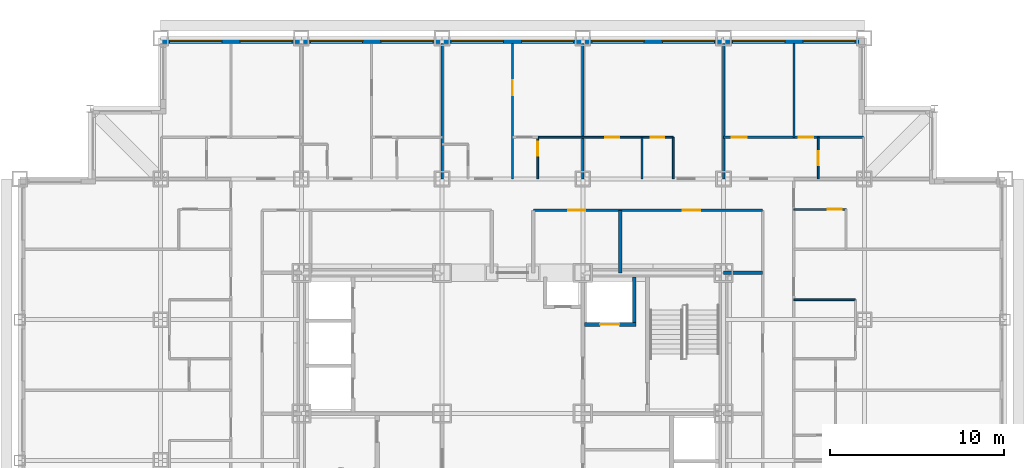
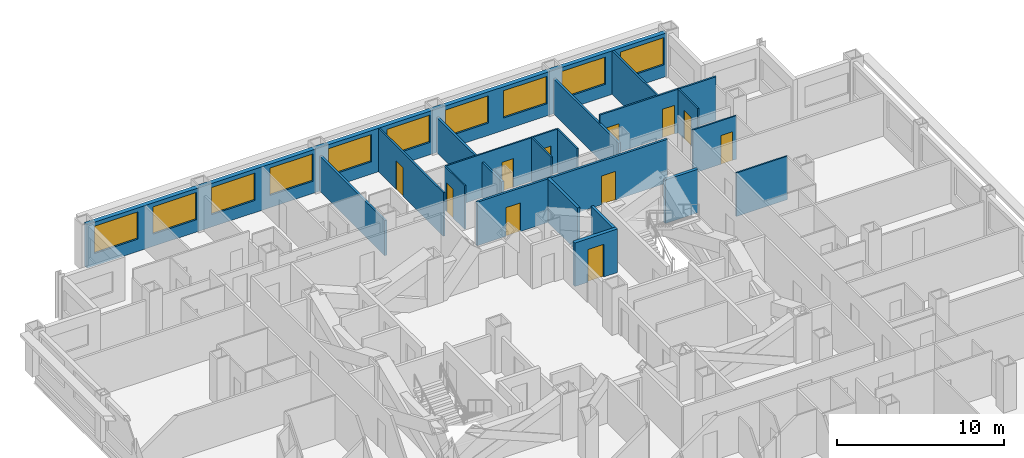
# One storey, part 10 of 12: 19 walls, 11 doors, 10 windows, 21 openings.
"""IFC4 building model written with IfcOpenShell, lengths in metres."""

import ifcopenshell
import ifcopenshell.guid

model = None  # the IFC model being written
_history = None  # IfcOwnerHistory: only IFC2X3 demands one
_inside = {}  # id of a spatial element -> (the spatial element, [elements in it])
_under = {}  # id of a project, library or spatial element -> (it, [spatial elements below it])
_declared = {}  # id of a project -> (the project, [libraries it declares])
_typed = {}  # id of a type object -> (the type object, [elements of that type])
_made_of = {}  # id of a material, layer set ... -> (it, [elements and type objects made of it])


def new_model(schema):
    """Start an empty IFC model of exactly this schema.

    Asked for "IFC4X3", IfcOpenShell would pick the latest addendum, in which some entities
    have other attributes; the version numbers below select the first issue.
    IFC2X3 requires an IfcOwnerHistory on every rooted entity: one is made here for all.
    """
    global model, _history
    if schema == "IFC4X3":
        model = ifcopenshell.file(schema_version=(4, 3, 0, 0))
    else:
        model = ifcopenshell.file(schema=schema)
    _inside.clear()
    _under.clear()
    _declared.clear()
    _typed.clear()
    _made_of.clear()
    _history = None
    if model.schema == "IFC2X3":
        org = make("IfcOrganization", Name="unknown")
        user = make(
            "IfcPersonAndOrganization",
            ThePerson=make("IfcPerson", FamilyName="unknown"),
            TheOrganization=org,
        )
        app = make(
            "IfcApplication",
            ApplicationDeveloper=org,
            Version="unknown",
            ApplicationFullName="unknown",
            ApplicationIdentifier="unknown",
        )
        _history = make(
            "IfcOwnerHistory",
            OwningUser=user,
            OwningApplication=app,
            ChangeAction="ADDED",
            CreationDate=0,
        )
    return model


def make(cls, **values):
    """One entity of the class cls with the attributes given. An attribute that is None is left unset."""
    return model.create_entity(
        cls, **{name: value for name, value in values.items() if value is not None}
    )


def rooted(cls, **values):
    """An entity with a GlobalId (a new one), such as an element, a storey or a relation."""
    return make(cls, GlobalId=ifcopenshell.guid.new(), OwnerHistory=_history, **values)


def si_unit(unit_type, name, prefix=None):
    """IfcSIUnit, for example si_unit("LENGTHUNIT", "METRE", prefix="MILLI")."""
    return make("IfcSIUnit", UnitType=unit_type, Prefix=prefix, Name=name)


def assignment(units):
    """IfcUnitAssignment: the units of a project."""
    return None if units is None else make("IfcUnitAssignment", Units=units)


def point(xyz):
    """IfcCartesianPoint."""
    return None if xyz is None else make("IfcCartesianPoint", Coordinates=xyz)


def direction(xyz):
    """IfcDirection."""
    return None if xyz is None else make("IfcDirection", DirectionRatios=xyz)


def frame(location, z_axis=None, x_axis=None):
    """IfcAxis2Placement3D, a coordinate frame: its origin and axes. An axis left out is left unset."""
    return make(
        "IfcAxis2Placement3D",
        Location=point(location),
        Axis=direction(z_axis),
        RefDirection=direction(x_axis),
    )


def frame_2d(location, x_axis=None):
    """IfcAxis2Placement2D, a coordinate frame in the plane: its origin and x axis."""
    return make(
        "IfcAxis2Placement2D", Location=point(location), RefDirection=direction(x_axis)
    )


def origin():
    """The frame at (0, 0, 0) with its axes left unset."""
    return frame((0.0, 0.0, 0.0))


def place(relative_to, where):
    """IfcLocalPlacement: puts the frame where relative to a parent placement (None: the world)."""
    return make(
        "IfcLocalPlacement", PlacementRelTo=relative_to, RelativePlacement=where
    )


def context(
    kind, dimensions, precision=None, world=None, true_north=None, identifier=None
):
    """IfcGeometricRepresentationContext, for example the 3D "Model" context."""
    return make(
        "IfcGeometricRepresentationContext",
        ContextIdentifier=identifier,
        ContextType=kind,
        CoordinateSpaceDimension=dimensions,
        Precision=precision,
        WorldCoordinateSystem=world,
        TrueNorth=true_north,
    )


def subcontext(parent, identifier, kind, view, scale=None):
    """IfcGeometricRepresentationSubContext, for example "Body" below "Model"."""
    return make(
        "IfcGeometricRepresentationSubContext",
        ContextIdentifier=identifier,
        ContextType=kind,
        ParentContext=parent,
        TargetScale=scale,
        TargetView=view,
    )


def project(units=None, contexts=None):
    """IfcProject with its units and contexts."""
    return rooted(
        "IfcProject",
        Name="project",
        RepresentationContexts=contexts,
        UnitsInContext=assignment(units),
    )


def spatial(cls, under=None, at=None, **own):
    """A site, building, storey or space (cls), placed at a placement, below another one or the project."""
    s = rooted(cls, ObjectPlacement=at, **own)
    if under is not None:
        _under.setdefault(under.id(), (under, []))[1].append(s)
    return s


def profile(cls, at=None, kind="AREA", **sizes):
    """A parametric profile (cls). Its sizes go by their IFC names, for example OverallWidth=200.0."""
    return make(cls, ProfileType=kind, Position=at, **sizes)


def rectangle(**sizes):
    """IfcRectangleProfileDef."""
    return profile("IfcRectangleProfileDef", **sizes)


def extrude(swept, where, along, depth):
    """IfcExtrudedAreaSolid: the profile swept, set in the frame where, extruded along a direction by depth."""
    return make(
        "IfcExtrudedAreaSolid",
        SweptArea=swept,
        Position=where,
        ExtrudedDirection=direction(along),
        Depth=depth,
    )


def shape(context_of_items, identifier, shape_type, items):
    """IfcShapeRepresentation: the items that make up one representation, for example the "Body"."""
    return make(
        "IfcShapeRepresentation",
        ContextOfItems=context_of_items,
        RepresentationIdentifier=identifier,
        RepresentationType=shape_type,
        Items=items,
    )


def material(Name=None, Category=None):
    """IfcMaterial."""
    return make("IfcMaterial", Name=Name, Category=Category)


def layer(
    of_material, thickness, ventilated=None, Name=None, Category=None, Priority=None
):
    """IfcMaterialLayer: one layer of a wall or slab, of a material (None: an air gap)."""
    return make(
        "IfcMaterialLayer",
        Material=of_material,
        LayerThickness=thickness,
        IsVentilated=ventilated,
        Name=Name,
        Category=Category,
        Priority=Priority,
    )


def layer_set(layers, Name=None):
    """IfcMaterialLayerSet."""
    return make("IfcMaterialLayerSet", MaterialLayers=layers, LayerSetName=Name)


def made_of(thing, what):
    """Note that an element or type object is made of a material, layer set ...; save() writes the relation."""
    if what is not None:
        _made_of.setdefault(what.id(), (what, []))[1].append(thing)
    return thing


def type_object(cls, material=None, **own):
    """A type object (cls), such as IfcWallType, which elements share."""
    return made_of(rooted(cls, **own), material)


def element(
    cls,
    number,
    at=None,
    inside=None,
    cuts=None,
    type_object=None,
    material=None,
    context=None,
    identifier="Body",
    shape_type=None,
    held_by="IfcProductDefinitionShape",
    body=None,
    shapes=None,
    **own,
):
    """One element of the class cls, such as IfcWall. Its Tag is "e" and its number.

    at: its placement. inside: the storey or other place that contains it. cuts: it is an
    opening in that element (IfcRelVoidsElement). A single representation is given by context,
    identifier, shape_type and body (its items); several are given by shapes. held_by: the class
    of the entity that holds the representations. save() writes the other relations.
    """
    e = rooted(cls, Tag="e%d" % number, ObjectPlacement=at, **own)
    if body is not None:
        shapes = [shape(context, identifier, shape_type, body)]
    if shapes is not None:
        e.Representation = make(held_by, Representations=shapes)
    if inside is not None:
        _inside.setdefault(inside.id(), (inside, []))[1].append(e)
    if cuts is not None:
        rooted(
            "IfcRelVoidsElement", RelatingBuildingElement=cuts, RelatedOpeningElement=e
        )
    if type_object is not None:
        _typed.setdefault(type_object.id(), (type_object, []))[1].append(e)
    return made_of(e, material)


def fill(opening, filler):
    """IfcRelFillsElement: the door or window that sits in an opening."""
    return rooted(
        "IfcRelFillsElement",
        RelatingOpeningElement=opening,
        RelatedBuildingElement=filler,
    )


def aggregate(whole, parts):
    """IfcRelAggregates: a whole, such as a stair, and the parts it consists of."""
    return rooted("IfcRelAggregates", RelatingObject=whole, RelatedObjects=parts)


def save(model, path):
    """Write the relations noted so far, then the file.

    IfcRelAggregates (storeys below a building ...), IfcRelContainedInSpatialStructure (elements
    in a storey), IfcRelDefinesByType, IfcRelAssociatesMaterial and IfcRelDeclares: one each for
    every whole, place, type object, material and project.
    """
    for whole, parts in _under.values():
        aggregate(whole, parts)
    for where, things in _inside.values():
        rooted(
            "IfcRelContainedInSpatialStructure",
            RelatedElements=things,
            RelatingStructure=where,
        )
    for kind, things in _typed.values():
        rooted("IfcRelDefinesByType", RelatedObjects=things, RelatingType=kind)
    for what, things in _made_of.values():
        rooted("IfcRelAssociatesMaterial", RelatedObjects=things, RelatingMaterial=what)
    for by, libraries in _declared.values():
        rooted("IfcRelDeclares", RelatingContext=by, RelatedDefinitions=libraries)
    model.write(path)


model = new_model("IFC4")

# Units and contexts
model_context = context("Model", 3, precision=1e-05, world=origin(), true_north=direction((0.0, 1.0)))
body_context = subcontext(model_context, "Body", "Model", "MODEL_VIEW")
ifc_project = project(units=[si_unit("LENGTHUNIT", "METRE"), si_unit("AREAUNIT", "SQUARE_METRE"), si_unit("VOLUMEUNIT", "CUBIC_METRE"), si_unit("PLANEANGLEUNIT", "RADIAN"), si_unit("MASSUNIT", "GRAM", prefix="KILO")], contexts=[model_context])

# Site, building, storey
site_placement = place(None, origin())
site = spatial("IfcSite", under=ifc_project, at=site_placement, CompositionType="ELEMENT")
building_placement = place(site_placement, origin())
building = spatial("IfcBuilding", under=site, at=building_placement, Name="Kopane Lantern Tower", CompositionType="ELEMENT")
storey_placement = place(building_placement, frame((0.0, 0.0, 117.0)))
storey = spatial("IfcBuildingStorey", under=building, at=storey_placement, Name="L29", CompositionType="ELEMENT", Elevation=117.0)

# Wall, opening, door
ifc_material_1 = material(Name="Gypsum board on steel studs", Category="steel")
ifc_layer_1 = layer(ifc_material_1, 0.1201171875)
ifc_layer_set_1 = layer_set([ifc_layer_1], Name="APARTMENT INTERNAL WALL 120")
wall_type_1 = type_object("IfcWallType", Name="APARTMENT INTERNAL WALL 120", PredefinedType="PARTITIONING", material=ifc_layer_set_1)
wall_1_placement = place(storey_placement, frame((28.35009765625, 45.89990234375, 0.0), z_axis=(0.0, 0.0, 1.0), x_axis=(0.0, 1.0, 0.0)))
wall_1 = element("IfcWall", 1, at=wall_1_placement, inside=storey, type_object=wall_type_1, Name="Apartment Internal Wall 120 L29", PredefinedType="PARTITIONING", context=body_context, shape_type="SweptSolid", body=[
    extrude(rectangle(XDim=7.800048828125, YDim=0.1201171875, at=frame_2d((3.89990234375, 0.0))), origin(), (0.0, 0.0, 1.0), 3.18994140625),
])
opening_1_placement = place(wall_1_placement, frame((4.824951171875, 0.0, 0.0)))
opening_1 = element("IfcOpeningElement", 2, at=opening_1_placement, cuts=wall_1, Name="Opening L29-031", PredefinedType="OPENING", context=body_context, shape_type="SweptSolid", body=[
    extrude(rectangle(XDim=0.85009765625, YDim=2.10009765625, at=frame_2d((0.425048828125, 1.050048828125))), frame((0.0, 0.070068359375, 0.0), z_axis=(0.0, -1.0, 0.0), x_axis=(1.0, 0.0, 0.0)), (0.0, 0.0, 1.0), 0.14013671875),
])
ifc_material_2 = material(Name="Timber door set", Category="wood")
door_type_1 = type_object("IfcDoorType", Name="DOOR D4 850x2100", OperationType="SINGLE_SWING_LEFT", PredefinedType="DOOR", material=ifc_material_2)
door_1_placement = place(opening_1_placement, origin())
door_1 = element("IfcDoor", 3, at=door_1_placement, inside=storey, type_object=door_type_1, Name="Door L29-031", OperationType="SINGLE_SWING_RIGHT", OverallHeight=2.10009765625, OverallWidth=0.85009765625, PredefinedType="DOOR", context=body_context, shape_type="SweptSolid", body=[
    extrude(rectangle(XDim=0.85009765625, YDim=2.10009765625, at=frame_2d((0.425048828125, 1.050048828125))), frame((0.0, 0.02490234375, 0.0), z_axis=(0.0, -1.0, 0.0), x_axis=(1.0, 0.0, 0.0)), (0.0, 0.0, 1.0), 0.050048828125),
])
fill(opening_1, door_1)

# Wall, openings, doors
wall_2_placement = place(storey_placement, frame((40.5, 48.300048828125, 0.0), z_axis=(0.0, 0.0, 1.0), x_axis=(1.0, 0.0, 0.0)))
wall_2 = element("IfcWall", 4, at=wall_2_placement, inside=storey, type_object=wall_type_1, Name="Apartment Internal Wall 120 L29", PredefinedType="PARTITIONING", context=body_context, shape_type="SweptSolid", body=[
    extrude(rectangle(XDim=8.050048828125, YDim=0.1201171875, at=frame_2d((4.02490234375, 0.0))), origin(), (0.0, 0.0, 1.0), 3.18994140625),
])
opening_2_placement = place(wall_2_placement, frame((0.47509765625, 0.0, 0.0)))
opening_2 = element("IfcOpeningElement", 5, at=opening_2_placement, cuts=wall_2, Name="Opening L29-068", PredefinedType="OPENING", context=body_context, shape_type="SweptSolid", body=[
    extrude(rectangle(XDim=0.85009765625, YDim=2.10009765625, at=frame_2d((0.425048828125, 1.050048828125))), frame((0.0, 0.070068359375, 0.0), z_axis=(0.0, -1.0, 0.0), x_axis=(1.0, 0.0, 0.0)), (0.0, 0.0, 1.0), 0.14013671875),
])
opening_3_placement = place(wall_2_placement, frame((4.324951171875, 0.0, 0.0)))
opening_3 = element("IfcOpeningElement", 6, at=opening_3_placement, cuts=wall_2, Name="Opening L29-070", PredefinedType="OPENING", context=body_context, shape_type="SweptSolid", body=[
    extrude(rectangle(XDim=0.85009765625, YDim=2.10009765625, at=frame_2d((0.425048828125, 1.050048828125))), frame((0.0, 0.070068359375, 0.0), z_axis=(0.0, -1.0, 0.0), x_axis=(1.0, 0.0, 0.0)), (0.0, 0.0, 1.0), 0.14013671875),
])
door_2_placement = place(opening_2_placement, origin())
door_2 = element("IfcDoor", 7, at=door_2_placement, inside=storey, type_object=door_type_1, Name="Door L29-068", OperationType="SINGLE_SWING_RIGHT", OverallHeight=2.10009765625, OverallWidth=0.85009765625, PredefinedType="DOOR", context=body_context, shape_type="SweptSolid", body=[
    extrude(rectangle(XDim=0.85009765625, YDim=2.10009765625, at=frame_2d((0.425048828125, 1.050048828125))), frame((0.0, 0.02490234375, 0.0), z_axis=(0.0, -1.0, 0.0), x_axis=(1.0, 0.0, 0.0)), (0.0, 0.0, 1.0), 0.050048828125),
])
fill(opening_2, door_2)
door_3_placement = place(opening_3_placement, origin())
door_3 = element("IfcDoor", 8, at=door_3_placement, inside=storey, type_object=door_type_1, Name="Door L29-070", OperationType="SINGLE_SWING_LEFT", OverallHeight=2.10009765625, OverallWidth=0.85009765625, PredefinedType="DOOR", context=body_context, shape_type="SweptSolid", body=[
    extrude(rectangle(XDim=0.85009765625, YDim=2.10009765625, at=frame_2d((0.425048828125, 1.050048828125))), frame((0.0, 0.02490234375, 0.0), z_axis=(0.0, -1.0, 0.0), x_axis=(1.0, 0.0, 0.0)), (0.0, 0.0, 1.0), 0.050048828125),
])
fill(opening_3, door_3)

# Wall
wall_3_placement = place(storey_placement, frame((44.550048828125, 48.300048828125, 0.0), z_axis=(0.0, 0.0, 1.0), x_axis=(0.0, 1.0, 0.0)))
element("IfcWall", 9, at=wall_3_placement, inside=storey, type_object=wall_type_1, Name="Apartment Internal Wall 120 L29", PredefinedType="PARTITIONING", context=body_context, shape_type="SweptSolid", body=[
    extrude(rectangle(XDim=5.39990234375, YDim=0.1201171875, at=frame_2d((2.699951171875, 0.0))), origin(), (0.0, 0.0, 1.0), 3.18994140625),
])

# Wall, openings, doors
ifc_material_3 = material(Name="Moisture-resistant board on steel studs", Category="steel")
ifc_layer_2 = layer(ifc_material_3, 0.10009765625)
ifc_layer_set_2 = layer_set([ifc_layer_2], Name="BATHROOM WALL 100")
wall_type_2 = type_object("IfcWallType", Name="BATHROOM WALL 100", PredefinedType="PARTITIONING", material=ifc_layer_set_2)
wall_4_placement = place(storey_placement, frame((29.800048828125, 48.300048828125, 0.0), z_axis=(0.0, 0.0, 1.0), x_axis=(1.0, 0.0, 0.0)))
wall_4 = element("IfcWall", 10, at=wall_4_placement, inside=storey, type_object=wall_type_2, Name="Bathroom Wall 100 L29", PredefinedType="PARTITIONING", context=body_context, shape_type="SweptSolid", body=[
    extrude(rectangle(XDim=7.800048828125, YDim=0.10009765625, at=frame_2d((3.89990234375, 0.0))), origin(), (0.0, 0.0, 1.0), 3.18994140625),
])
opening_4_placement = place(wall_4_placement, frame((3.89990234375, 0.0, 0.0)))
opening_4 = element("IfcOpeningElement", 11, at=opening_4_placement, cuts=wall_4, Name="Opening L29-032", PredefinedType="OPENING", context=body_context, shape_type="SweptSolid", body=[
    extrude(rectangle(XDim=0.800048828125, YDim=2.10009765625, at=frame_2d((0.39990234375, 1.050048828125))), frame((0.0, 0.06005859375, 0.0), z_axis=(0.0, -1.0, 0.0), x_axis=(1.0, 0.0, 0.0)), (0.0, 0.0, 1.0), 0.1201171875),
])
opening_5_placement = place(wall_4_placement, frame((6.5, 0.0, 0.0)))
opening_5 = element("IfcOpeningElement", 12, at=opening_5_placement, cuts=wall_4, Name="Opening L29-033", PredefinedType="OPENING", context=body_context, shape_type="SweptSolid", body=[
    extrude(rectangle(XDim=0.800048828125, YDim=2.10009765625, at=frame_2d((0.39990234375, 1.050048828125))), frame((0.0, 0.06005859375, 0.0), z_axis=(0.0, -1.0, 0.0), x_axis=(1.0, 0.0, 0.0)), (0.0, 0.0, 1.0), 0.1201171875),
])
ifc_material_4 = material(Name="Timber door set", Category="wood")
door_type_2 = type_object("IfcDoorType", Name="DOOR D2 800x2100", OperationType="SINGLE_SWING_LEFT", PredefinedType="DOOR", material=ifc_material_4)
door_4_placement = place(opening_4_placement, origin())
door_4 = element("IfcDoor", 13, at=door_4_placement, inside=storey, type_object=door_type_2, Name="Door L29-032", OperationType="SINGLE_SWING_LEFT", OverallHeight=2.10009765625, OverallWidth=0.800048828125, PredefinedType="DOOR", context=body_context, shape_type="SweptSolid", body=[
    extrude(rectangle(XDim=0.800048828125, YDim=2.10009765625, at=frame_2d((0.39990234375, 1.050048828125))), frame((0.0, 0.02490234375, 0.0), z_axis=(0.0, -1.0, 0.0), x_axis=(1.0, 0.0, 0.0)), (0.0, 0.0, 1.0), 0.050048828125),
])
fill(opening_4, door_4)
door_5_placement = place(opening_5_placement, origin())
door_5 = element("IfcDoor", 14, at=door_5_placement, inside=storey, type_object=door_type_2, Name="Door L29-033", OperationType="SINGLE_SWING_LEFT", OverallHeight=2.10009765625, OverallWidth=0.800048828125, PredefinedType="DOOR", context=body_context, shape_type="SweptSolid", body=[
    extrude(rectangle(XDim=0.800048828125, YDim=2.10009765625, at=frame_2d((0.39990234375, 1.050048828125))), frame((0.0, 0.02490234375, 0.0), z_axis=(0.0, -1.0, 0.0), x_axis=(1.0, 0.0, 0.0)), (0.0, 0.0, 1.0), 0.050048828125),
])
fill(opening_5, door_5)

# Wall, opening, door
wall_5_placement = place(storey_placement, frame((29.800048828125, 45.89990234375, 0.0), z_axis=(0.0, 0.0, 1.0), x_axis=(0.0, 1.0, 0.0)))
wall_5 = element("IfcWall", 15, at=wall_5_placement, inside=storey, type_object=wall_type_2, Name="Bathroom Wall 100 L29", PredefinedType="PARTITIONING", context=body_context, shape_type="SweptSolid", body=[
    extrude(rectangle(XDim=2.400146484375, YDim=0.10009765625, at=frame_2d((1.2001953125, 0.0))), origin(), (0.0, 0.0, 1.0), 3.18994140625),
])
opening_6_placement = place(wall_5_placement, frame((1.35009765625, 0.0, 0.0)))
opening_6 = element("IfcOpeningElement", 16, at=opening_6_placement, cuts=wall_5, Name="Opening L29-030", PredefinedType="OPENING", context=body_context, shape_type="SweptSolid", body=[
    extrude(rectangle(XDim=0.800048828125, YDim=2.10009765625, at=frame_2d((0.39990234375, 1.050048828125))), frame((0.0, 0.06005859375, 0.0), z_axis=(0.0, -1.0, 0.0), x_axis=(1.0, 0.0, 0.0)), (0.0, 0.0, 1.0), 0.1201171875),
])
door_6_placement = place(opening_6_placement, origin())
door_6 = element("IfcDoor", 17, at=door_6_placement, inside=storey, type_object=door_type_2, Name="Door L29-030", OperationType="SINGLE_SWING_RIGHT", OverallHeight=2.10009765625, OverallWidth=0.800048828125, PredefinedType="DOOR", context=body_context, shape_type="SweptSolid", body=[
    extrude(rectangle(XDim=0.800048828125, YDim=2.10009765625, at=frame_2d((0.39990234375, 1.050048828125))), frame((0.0, 0.02490234375, 0.0), z_axis=(0.0, -1.0, 0.0), x_axis=(1.0, 0.0, 0.0)), (0.0, 0.0, 1.0), 0.050048828125),
])
fill(opening_6, door_6)

# Walls
for number, where, z_axis, x_axis, name in (
    (18, (35.800048828125, 45.89990234375, 0.0), (0.0, 0.0, 1.0), (0.0, 1.0, 0.0), "Bathroom Wall 100 L29"),
    (19, (37.60009765625, 45.89990234375, 0.0), (0.0, 0.0, 1.0), (0.0, 1.0, 0.0), "Bathroom Wall 100 L29"),
):
    element("IfcWall", number, at=place(storey_placement, frame(where, z_axis=z_axis, x_axis=x_axis)), inside=storey, type_object=wall_type_2, Name=name, PredefinedType="PARTITIONING", context=body_context, shape_type="SweptSolid", body=[
        extrude(rectangle(XDim=2.400146484375, YDim=0.10009765625, at=frame_2d((1.2001953125, 0.0))), origin(), (0.0, 0.0, 1.0), 3.18994140625),
    ])
wall_6_placement = place(storey_placement, frame((44.550048828125, 38.949951171875, 0.0), z_axis=(0.0, 0.0, 1.0), x_axis=(1.0, 0.0, 0.0)))
element("IfcWall", 20, at=wall_6_placement, inside=storey, type_object=wall_type_2, Name="Bathroom Wall 100 L29", PredefinedType="PARTITIONING", context=body_context, shape_type="SweptSolid", body=[
    extrude(rectangle(XDim=3.5400390625, YDim=0.10009765625, at=frame_2d((1.77001953125, 0.0))), origin(), (0.0, 0.0, 1.0), 3.18994140625),
])

# Wall, opening, door
wall_7_placement = place(storey_placement, frame((44.550048828125, 44.14990234375, 0.0), z_axis=(0.0, 0.0, 1.0), x_axis=(1.0, 0.0, 0.0)))
wall_7 = element("IfcWall", 21, at=wall_7_placement, inside=storey, type_object=wall_type_2, Name="Bathroom Wall 100 L29", PredefinedType="PARTITIONING", context=body_context, shape_type="SweptSolid", body=[
    extrude(rectangle(XDim=3.0, YDim=0.10009765625, at=frame_2d((1.5, 0.0))), origin(), (0.0, 0.0, 1.0), 3.18994140625),
])
opening_7_placement = place(wall_7_placement, frame((1.949951171875, 0.0, 0.0)))
opening_7 = element("IfcOpeningElement", 22, at=opening_7_placement, cuts=wall_7, Name="Opening L29-057", PredefinedType="OPENING", context=body_context, shape_type="SweptSolid", body=[
    extrude(rectangle(XDim=0.800048828125, YDim=2.10009765625, at=frame_2d((0.39990234375, 1.050048828125))), frame((0.0, 0.06005859375, 0.0), z_axis=(0.0, -1.0, 0.0), x_axis=(1.0, 0.0, 0.0)), (0.0, 0.0, 1.0), 0.1201171875),
])
door_7_placement = place(opening_7_placement, origin())
door_7 = element("IfcDoor", 23, at=door_7_placement, inside=storey, type_object=door_type_2, Name="Door L29-057", OperationType="SINGLE_SWING_LEFT", OverallHeight=2.10009765625, OverallWidth=0.800048828125, PredefinedType="DOOR", context=body_context, shape_type="SweptSolid", body=[
    extrude(rectangle(XDim=0.800048828125, YDim=2.10009765625, at=frame_2d((0.39990234375, 1.050048828125))), frame((0.0, 0.02490234375, 0.0), z_axis=(0.0, -1.0, 0.0), x_axis=(1.0, 0.0, 0.0)), (0.0, 0.0, 1.0), 0.050048828125),
])
fill(opening_7, door_7)

wall_8_placement = place(storey_placement, frame((45.949951171875, 45.89990234375, 0.0), z_axis=(0.0, 0.0, 1.0), x_axis=(0.0, 1.0, 0.0)))
wall_8 = element("IfcWall", 24, at=wall_8_placement, inside=storey, type_object=wall_type_2, Name="Bathroom Wall 100 L29", PredefinedType="PARTITIONING", context=body_context, shape_type="SweptSolid", body=[
    extrude(rectangle(XDim=2.400146484375, YDim=0.10009765625, at=frame_2d((1.2001953125, 0.0))), origin(), (0.0, 0.0, 1.0), 3.18994140625),
])
opening_8_placement = place(wall_8_placement, frame((0.800048828125, 0.0, 0.0)))
opening_8 = element("IfcOpeningElement", 25, at=opening_8_placement, cuts=wall_8, Name="Opening L29-069", PredefinedType="OPENING", context=body_context, shape_type="SweptSolid", body=[
    extrude(rectangle(XDim=0.800048828125, YDim=2.10009765625, at=frame_2d((0.39990234375, 1.050048828125))), frame((0.0, 0.06005859375, 0.0), z_axis=(0.0, -1.0, 0.0), x_axis=(1.0, 0.0, 0.0)), (0.0, 0.0, 1.0), 0.1201171875),
])
door_8_placement = place(opening_8_placement, origin())
door_8 = element("IfcDoor", 26, at=door_8_placement, inside=storey, type_object=door_type_2, Name="Door L29-069", OperationType="SINGLE_SWING_RIGHT", OverallHeight=2.10009765625, OverallWidth=0.800048828125, PredefinedType="DOOR", context=body_context, shape_type="SweptSolid", body=[
    extrude(rectangle(XDim=0.800048828125, YDim=2.10009765625, at=frame_2d((0.39990234375, 1.050048828125))), frame((0.0, 0.02490234375, 0.0), z_axis=(0.0, -1.0, 0.0), x_axis=(1.0, 0.0, 0.0)), (0.0, 0.0, 1.0), 0.050048828125),
])
fill(opening_8, door_8)

ifc_material_5 = material(Name="Gypsum shaft wall EI 120", Category="gypsum")
ifc_layer_3 = layer(ifc_material_5, 0.25)
ifc_layer_set_3 = layer_set([ifc_layer_3], Name="CORE SHAFT WALL 250 EI 120")
wall_type_3 = type_object("IfcWallType", Name="CORE SHAFT WALL 250 EI 120", PredefinedType="SOLIDWALL", material=ifc_layer_set_3)
wall_9_placement = place(storey_placement, frame((32.5, 37.52490234375, 0.0), z_axis=(0.0, 0.0, 1.0), x_axis=(1.0, 0.0, 0.0)))
wall_9 = element("IfcWall", 27, at=wall_9_placement, inside=storey, type_object=wall_type_3, Name="Core shaft wall L29 YLF2", PredefinedType="SOLIDWALL", context=body_context, shape_type="SweptSolid", body=[
    extrude(rectangle(XDim=2.949951171875, YDim=0.25, at=frame_2d((1.47509765625, 0.0))), origin(), (0.0, 0.0, 1.0), 3.18994140625),
])
opening_9_placement = place(wall_9_placement, frame((0.89990234375, 0.0, 0.0)))
opening_9 = element("IfcOpeningElement", 28, at=opening_9_placement, cuts=wall_9, Name="Opening 29.LD-LF2", PredefinedType="OPENING", context=body_context, shape_type="SweptSolid", body=[
    extrude(rectangle(XDim=1.10009765625, YDim=2.39990234375, at=frame_2d((0.550048828125, 1.199951171875))), frame((0.0, 0.135009765625, 0.0), z_axis=(0.0, -1.0, 0.0), x_axis=(1.0, 0.0, 0.0)), (0.0, 0.0, 1.0), 0.27001953125),
])
ifc_material_6 = material(Name="Steel door set", Category="steel")
door_type_3 = type_object("IfcDoorType", Name="LIFT LANDING DOOR 1100x2400 FD60", OperationType="DOUBLE_DOOR_SLIDING", PredefinedType="DOOR", material=ifc_material_6)
door_9_placement = place(opening_9_placement, origin())
door_9 = element("IfcDoor", 29, at=door_9_placement, inside=storey, type_object=door_type_3, Name="Landing door LF2 L29", OperationType="DOUBLE_DOOR_SLIDING", OverallHeight=2.39990234375, OverallWidth=1.10009765625, PredefinedType="DOOR", context=body_context, shape_type="SweptSolid", body=[
    extrude(rectangle(XDim=1.10009765625, YDim=2.39990234375, at=frame_2d((0.550048828125, 1.199951171875))), frame((0.0, 0.02490234375, 0.0), z_axis=(0.0, -1.0, 0.0), x_axis=(1.0, 0.0, 0.0)), (0.0, 0.0, 1.0), 0.050048828125),
])
fill(opening_9, door_9)

# Wall, openings, doors
ifc_material_7 = material(Name="Gypsum board on steel studs", Category="steel")
ifc_layer_4 = layer(ifc_material_7, 0.14990234375)
ifc_layer_set_4 = layer_set([ifc_layer_4], Name="CORRIDOR WALL 150 EI 60")
wall_type_4 = type_object("IfcWallType", Name="CORRIDOR WALL 150 EI 60", PredefinedType="PARTITIONING", material=ifc_layer_set_4)
wall_10_placement = place(storey_placement, frame((42.75, 44.10009765625, 0.0), z_axis=(0.0, 0.0, 1.0), x_axis=(-1.0, 0.0, 0.0)))
wall_10 = element("IfcWall", 30, at=wall_10_placement, inside=storey, type_object=wall_type_4, Name="Corridor Wall 150 Ei 60 L29", PredefinedType="PARTITIONING", context=body_context, shape_type="SweptSolid", body=[
    extrude(rectangle(XDim=13.18994140625, YDim=0.14990234375, at=frame_2d((6.594970703125, 0.0))), origin(), (0.0, 0.0, 1.0), 3.18994140625),
])
opening_10_placement = place(wall_10_placement, frame((10.199951171875, 0.0, 0.0)))
opening_10 = element("IfcOpeningElement", 31, at=opening_10_placement, cuts=wall_10, Name="Opening L29-011", PredefinedType="OPENING", context=body_context, shape_type="SweptSolid", body=[
    extrude(rectangle(XDim=1.0, YDim=2.10009765625, at=frame_2d((0.5, 1.050048828125))), frame((0.0, 0.0849609375, 0.0), z_axis=(0.0, -1.0, 0.0), x_axis=(1.0, 0.0, 0.0)), (0.0, 0.0, 1.0), 0.169921875),
])
opening_11_placement = place(wall_10_placement, frame((3.60009765625, 0.0, 0.0)))
opening_11 = element("IfcOpeningElement", 32, at=opening_11_placement, cuts=wall_10, Name="Opening L29-012", PredefinedType="OPENING", context=body_context, shape_type="SweptSolid", body=[
    extrude(rectangle(XDim=1.0, YDim=2.10009765625, at=frame_2d((0.5, 1.050048828125))), frame((0.0, 0.0849609375, 0.0), z_axis=(0.0, -1.0, 0.0), x_axis=(1.0, 0.0, 0.0)), (0.0, 0.0, 1.0), 0.169921875),
])
ifc_material_8 = material(Name="Steel door set", Category="steel")
door_type_4 = type_object("IfcDoorType", Name="DOOR D5 1000x2100 FD60", OperationType="SINGLE_SWING_LEFT", PredefinedType="DOOR", material=ifc_material_8)
door_10_placement = place(opening_10_placement, origin())
door_10 = element("IfcDoor", 33, at=door_10_placement, inside=storey, type_object=door_type_4, Name="Door L29-011", OperationType="SINGLE_SWING_RIGHT", OverallHeight=2.10009765625, OverallWidth=1.0, PredefinedType="DOOR", context=body_context, shape_type="SweptSolid", body=[
    extrude(rectangle(XDim=1.0, YDim=2.10009765625, at=frame_2d((0.5, 1.050048828125))), frame((0.0, 0.02490234375, 0.0), z_axis=(0.0, -1.0, 0.0), x_axis=(1.0, 0.0, 0.0)), (0.0, 0.0, 1.0), 0.050048828125),
])
fill(opening_10, door_10)
door_11_placement = place(opening_11_placement, origin())
door_11 = element("IfcDoor", 34, at=door_11_placement, inside=storey, type_object=door_type_4, Name="Door L29-012", OperationType="SINGLE_SWING_LEFT", OverallHeight=2.10009765625, OverallWidth=1.0, PredefinedType="DOOR", context=body_context, shape_type="SweptSolid", body=[
    extrude(rectangle(XDim=1.0, YDim=2.10009765625, at=frame_2d((0.5, 1.050048828125))), frame((0.0, 0.02490234375, 0.0), z_axis=(0.0, -1.0, 0.0), x_axis=(1.0, 0.0, 0.0)), (0.0, 0.0, 1.0), 0.050048828125),
])
fill(opening_11, door_11)

# Walls
ifc_material_9 = material(Name="Gypsum board on steel studs", Category="steel")
ifc_layer_5 = layer(ifc_material_9, 0.14990234375)
ifc_layer_set_5 = layer_set([ifc_layer_5], Name="DEMISING WALL 150 EI 60")
wall_type_5 = type_object("IfcWallType", Name="DEMISING WALL 150 EI 60", PredefinedType="PARTITIONING", material=ifc_layer_set_5)
for number, where, z_axis, x_axis, name in (
    (35, (24.300048828125, 45.89990234375, 0.0), (0.0, 0.0, 1.0), (0.0, 1.0, 0.0), "Demising Wall 150 Ei 60 L29"),
    (36, (32.39990234375, 45.89990234375, 0.0), (0.0, 0.0, 1.0), (0.0, 1.0, 0.0), "Demising Wall 150 Ei 60 L29"),
    (37, (40.5, 45.89990234375, 0.0), (0.0, 0.0, 1.0), (0.0, 1.0, 0.0), "Demising Wall 150 Ei 60 L29"),
):
    element("IfcWall", number, at=place(storey_placement, frame(where, z_axis=z_axis, x_axis=x_axis)), inside=storey, type_object=wall_type_5, Name=name, PredefinedType="PARTITIONING", context=body_context, shape_type="SweptSolid", body=[
        extrude(rectangle(XDim=7.800048828125, YDim=0.14990234375, at=frame_2d((3.89990234375, 0.0))), origin(), (0.0, 0.0, 1.0), 2.577880859375),
    ])

# Wall, openings, windows
ifc_material_10 = material(Name="Terracotta rainscreen on light steel framing", Category="masonry")
ifc_layer_6 = layer(ifc_material_10, 0.300048828125)
ifc_layer_set_6 = layer_set([ifc_layer_6], Name="EXTERNAL WALL EW1 300 TERRACOTTA")
wall_type_6 = type_object("IfcWallType", Name="EXTERNAL WALL EW1 300 TERRACOTTA", PredefinedType="SOLIDWALL", material=ifc_layer_set_6)
wall_11_placement = place(storey_placement, frame((48.300048828125, 53.85009765625, 0.0), z_axis=(0.0, 0.0, 1.0), x_axis=(-1.0, 0.0, 0.0)))
wall_11 = element("IfcWall", 38, at=wall_11_placement, inside=storey, type_object=wall_type_6, Name="External wall N L29", PredefinedType="SOLIDWALL", context=body_context, shape_type="SweptSolid", body=[
    extrude(rectangle(XDim=40.199951171875, YDim=0.300048828125, at=frame_2d((20.10009765625, 0.0))), origin(), (0.0, 0.0, 1.0), 3.18994140625),
])
opening_12_placement = place(wall_11_placement, frame((0.22509765625, 0.0, 0.89990234375)))
opening_12 = element("IfcOpeningElement", 39, at=opening_12_placement, cuts=wall_11, Name="Opening WR300200", PredefinedType="OPENING", context=body_context, shape_type="SweptSolid", body=[
    extrude(rectangle(XDim=3.0, YDim=2.0, at=frame_2d((1.5, 1.0))), frame((0.0, 0.159912109375, 0.0), z_axis=(0.0, -1.0, 0.0), x_axis=(1.0, 0.0, 0.0)), (0.0, 0.0, 1.0), 0.320068359375),
])
opening_13_placement = place(wall_11_placement, frame((4.27490234375, 0.0, 0.89990234375)))
opening_13 = element("IfcOpeningElement", 40, at=opening_13_placement, cuts=wall_11, Name="Opening WR300200", PredefinedType="OPENING", context=body_context, shape_type="SweptSolid", body=[
    extrude(rectangle(XDim=3.0, YDim=2.0, at=frame_2d((1.5, 1.0))), frame((0.0, 0.159912109375, 0.0), z_axis=(0.0, -1.0, 0.0), x_axis=(1.0, 0.0, 0.0)), (0.0, 0.0, 1.0), 0.320068359375),
])
opening_14_placement = place(wall_11_placement, frame((8.324951171875, 0.0, 0.89990234375)))
opening_14 = element("IfcOpeningElement", 41, at=opening_14_placement, cuts=wall_11, Name="Opening WR300200", PredefinedType="OPENING", context=body_context, shape_type="SweptSolid", body=[
    extrude(rectangle(XDim=3.0, YDim=2.0, at=frame_2d((1.5, 1.0))), frame((0.0, 0.159912109375, 0.0), z_axis=(0.0, -1.0, 0.0), x_axis=(1.0, 0.0, 0.0)), (0.0, 0.0, 1.0), 0.320068359375),
])
opening_15_placement = place(wall_11_placement, frame((12.375, 0.0, 0.89990234375)))
opening_15 = element("IfcOpeningElement", 42, at=opening_15_placement, cuts=wall_11, Name="Opening WR300200", PredefinedType="OPENING", context=body_context, shape_type="SweptSolid", body=[
    extrude(rectangle(XDim=3.0, YDim=2.0, at=frame_2d((1.5, 1.0))), frame((0.0, 0.159912109375, 0.0), z_axis=(0.0, -1.0, 0.0), x_axis=(1.0, 0.0, 0.0)), (0.0, 0.0, 1.0), 0.320068359375),
])
opening_16_placement = place(wall_11_placement, frame((16.425048828125, 0.0, 0.89990234375)))
opening_16 = element("IfcOpeningElement", 43, at=opening_16_placement, cuts=wall_11, Name="Opening WR300200", PredefinedType="OPENING", context=body_context, shape_type="SweptSolid", body=[
    extrude(rectangle(XDim=3.0, YDim=2.0, at=frame_2d((1.5, 1.0))), frame((0.0, 0.159912109375, 0.0), z_axis=(0.0, -1.0, 0.0), x_axis=(1.0, 0.0, 0.0)), (0.0, 0.0, 1.0), 0.320068359375),
])
opening_17_placement = place(wall_11_placement, frame((20.47509765625, 0.0, 0.89990234375)))
opening_17 = element("IfcOpeningElement", 44, at=opening_17_placement, cuts=wall_11, Name="Opening WR300200", PredefinedType="OPENING", context=body_context, shape_type="SweptSolid", body=[
    extrude(rectangle(XDim=3.0, YDim=2.0, at=frame_2d((1.5, 1.0))), frame((0.0, 0.159912109375, 0.0), z_axis=(0.0, -1.0, 0.0), x_axis=(1.0, 0.0, 0.0)), (0.0, 0.0, 1.0), 0.320068359375),
])
opening_18_placement = place(wall_11_placement, frame((24.52490234375, 0.0, 0.89990234375)))
opening_18 = element("IfcOpeningElement", 45, at=opening_18_placement, cuts=wall_11, Name="Opening WR300200", PredefinedType="OPENING", context=body_context, shape_type="SweptSolid", body=[
    extrude(rectangle(XDim=3.0, YDim=2.0, at=frame_2d((1.5, 1.0))), frame((0.0, 0.159912109375, 0.0), z_axis=(0.0, -1.0, 0.0), x_axis=(1.0, 0.0, 0.0)), (0.0, 0.0, 1.0), 0.320068359375),
])
opening_19_placement = place(wall_11_placement, frame((28.574951171875, 0.0, 0.89990234375)))
opening_19 = element("IfcOpeningElement", 46, at=opening_19_placement, cuts=wall_11, Name="Opening WR300200", PredefinedType="OPENING", context=body_context, shape_type="SweptSolid", body=[
    extrude(rectangle(XDim=3.0, YDim=2.0, at=frame_2d((1.5, 1.0))), frame((0.0, 0.159912109375, 0.0), z_axis=(0.0, -1.0, 0.0), x_axis=(1.0, 0.0, 0.0)), (0.0, 0.0, 1.0), 0.320068359375),
])
opening_20_placement = place(wall_11_placement, frame((32.625, 0.0, 0.89990234375)))
opening_20 = element("IfcOpeningElement", 47, at=opening_20_placement, cuts=wall_11, Name="Opening WR300200", PredefinedType="OPENING", context=body_context, shape_type="SweptSolid", body=[
    extrude(rectangle(XDim=3.0, YDim=2.0, at=frame_2d((1.5, 1.0))), frame((0.0, 0.159912109375, 0.0), z_axis=(0.0, -1.0, 0.0), x_axis=(1.0, 0.0, 0.0)), (0.0, 0.0, 1.0), 0.320068359375),
])
opening_21_placement = place(wall_11_placement, frame((36.675048828125, 0.0, 0.89990234375)))
opening_21 = element("IfcOpeningElement", 48, at=opening_21_placement, cuts=wall_11, Name="Opening WR300200", PredefinedType="OPENING", context=body_context, shape_type="SweptSolid", body=[
    extrude(rectangle(XDim=3.0, YDim=2.0, at=frame_2d((1.5, 1.0))), frame((0.0, 0.159912109375, 0.0), z_axis=(0.0, -1.0, 0.0), x_axis=(1.0, 0.0, 0.0)), (0.0, 0.0, 1.0), 0.320068359375),
])
ifc_material_11 = material(Name="Aluminium and clear glass", Category="aluminium")
window_type = type_object("IfcWindowType", Name="RIBBON WINDOW WR300200 3000x2000", PartitioningType="SINGLE_PANEL", PredefinedType="WINDOW", material=ifc_material_11)
window_1_placement = place(opening_12_placement, origin())
window_1 = element("IfcWindow", 49, at=window_1_placement, inside=storey, type_object=window_type, Name="Window N L29", OverallHeight=2.0, OverallWidth=3.0, PartitioningType="SINGLE_PANEL", PredefinedType="WINDOW", context=body_context, shape_type="SweptSolid", body=[
    extrude(rectangle(XDim=3.0, YDim=2.0, at=frame_2d((1.5, 1.0))), frame((0.0, 0.030029296875, 0.0), z_axis=(0.0, -1.0, 0.0), x_axis=(1.0, 0.0, 0.0)), (0.0, 0.0, 1.0), 0.06005859375),
])
fill(opening_12, window_1)
window_2_placement = place(opening_13_placement, origin())
window_2 = element("IfcWindow", 50, at=window_2_placement, inside=storey, type_object=window_type, Name="Window N L29", OverallHeight=2.0, OverallWidth=3.0, PartitioningType="SINGLE_PANEL", PredefinedType="WINDOW", context=body_context, shape_type="SweptSolid", body=[
    extrude(rectangle(XDim=3.0, YDim=2.0, at=frame_2d((1.5, 1.0))), frame((0.0, 0.030029296875, 0.0), z_axis=(0.0, -1.0, 0.0), x_axis=(1.0, 0.0, 0.0)), (0.0, 0.0, 1.0), 0.06005859375),
])
fill(opening_13, window_2)
window_3_placement = place(opening_14_placement, origin())
window_3 = element("IfcWindow", 51, at=window_3_placement, inside=storey, type_object=window_type, Name="Window N L29", OverallHeight=2.0, OverallWidth=3.0, PartitioningType="SINGLE_PANEL", PredefinedType="WINDOW", context=body_context, shape_type="SweptSolid", body=[
    extrude(rectangle(XDim=3.0, YDim=2.0, at=frame_2d((1.5, 1.0))), frame((0.0, 0.030029296875, 0.0), z_axis=(0.0, -1.0, 0.0), x_axis=(1.0, 0.0, 0.0)), (0.0, 0.0, 1.0), 0.06005859375),
])
fill(opening_14, window_3)
window_4_placement = place(opening_15_placement, origin())
window_4 = element("IfcWindow", 52, at=window_4_placement, inside=storey, type_object=window_type, Name="Window N L29", OverallHeight=2.0, OverallWidth=3.0, PartitioningType="SINGLE_PANEL", PredefinedType="WINDOW", context=body_context, shape_type="SweptSolid", body=[
    extrude(rectangle(XDim=3.0, YDim=2.0, at=frame_2d((1.5, 1.0))), frame((0.0, 0.030029296875, 0.0), z_axis=(0.0, -1.0, 0.0), x_axis=(1.0, 0.0, 0.0)), (0.0, 0.0, 1.0), 0.06005859375),
])
fill(opening_15, window_4)
window_5_placement = place(opening_16_placement, origin())
window_5 = element("IfcWindow", 53, at=window_5_placement, inside=storey, type_object=window_type, Name="Window N L29", OverallHeight=2.0, OverallWidth=3.0, PartitioningType="SINGLE_PANEL", PredefinedType="WINDOW", context=body_context, shape_type="SweptSolid", body=[
    extrude(rectangle(XDim=3.0, YDim=2.0, at=frame_2d((1.5, 1.0))), frame((0.0, 0.030029296875, 0.0), z_axis=(0.0, -1.0, 0.0), x_axis=(1.0, 0.0, 0.0)), (0.0, 0.0, 1.0), 0.06005859375),
])
fill(opening_16, window_5)
window_6_placement = place(opening_17_placement, origin())
window_6 = element("IfcWindow", 54, at=window_6_placement, inside=storey, type_object=window_type, Name="Window N L29", OverallHeight=2.0, OverallWidth=3.0, PartitioningType="SINGLE_PANEL", PredefinedType="WINDOW", context=body_context, shape_type="SweptSolid", body=[
    extrude(rectangle(XDim=3.0, YDim=2.0, at=frame_2d((1.5, 1.0))), frame((0.0, 0.030029296875, 0.0), z_axis=(0.0, -1.0, 0.0), x_axis=(1.0, 0.0, 0.0)), (0.0, 0.0, 1.0), 0.06005859375),
])
fill(opening_17, window_6)
window_7_placement = place(opening_18_placement, origin())
window_7 = element("IfcWindow", 55, at=window_7_placement, inside=storey, type_object=window_type, Name="Window N L29", OverallHeight=2.0, OverallWidth=3.0, PartitioningType="SINGLE_PANEL", PredefinedType="WINDOW", context=body_context, shape_type="SweptSolid", body=[
    extrude(rectangle(XDim=3.0, YDim=2.0, at=frame_2d((1.5, 1.0))), frame((0.0, 0.030029296875, 0.0), z_axis=(0.0, -1.0, 0.0), x_axis=(1.0, 0.0, 0.0)), (0.0, 0.0, 1.0), 0.06005859375),
])
fill(opening_18, window_7)
window_8_placement = place(opening_19_placement, origin())
window_8 = element("IfcWindow", 56, at=window_8_placement, inside=storey, type_object=window_type, Name="Window N L29", OverallHeight=2.0, OverallWidth=3.0, PartitioningType="SINGLE_PANEL", PredefinedType="WINDOW", context=body_context, shape_type="SweptSolid", body=[
    extrude(rectangle(XDim=3.0, YDim=2.0, at=frame_2d((1.5, 1.0))), frame((0.0, 0.030029296875, 0.0), z_axis=(0.0, -1.0, 0.0), x_axis=(1.0, 0.0, 0.0)), (0.0, 0.0, 1.0), 0.06005859375),
])
fill(opening_19, window_8)
window_9_placement = place(opening_20_placement, origin())
window_9 = element("IfcWindow", 57, at=window_9_placement, inside=storey, type_object=window_type, Name="Window N L29", OverallHeight=2.0, OverallWidth=3.0, PartitioningType="SINGLE_PANEL", PredefinedType="WINDOW", context=body_context, shape_type="SweptSolid", body=[
    extrude(rectangle(XDim=3.0, YDim=2.0, at=frame_2d((1.5, 1.0))), frame((0.0, 0.030029296875, 0.0), z_axis=(0.0, -1.0, 0.0), x_axis=(1.0, 0.0, 0.0)), (0.0, 0.0, 1.0), 0.06005859375),
])
fill(opening_20, window_9)
window_10_placement = place(opening_21_placement, origin())
window_10 = element("IfcWindow", 58, at=window_10_placement, inside=storey, type_object=window_type, Name="Window N L29", OverallHeight=2.0, OverallWidth=3.0, PartitioningType="SINGLE_PANEL", PredefinedType="WINDOW", context=body_context, shape_type="SweptSolid", body=[
    extrude(rectangle(XDim=3.0, YDim=2.0, at=frame_2d((1.5, 1.0))), frame((0.0, 0.030029296875, 0.0), z_axis=(0.0, -1.0, 0.0), x_axis=(1.0, 0.0, 0.0)), (0.0, 0.0, 1.0), 0.06005859375),
])
fill(opening_21, window_10)

# Walls
ifc_material_12 = material(Name="Concrete masonry", Category="masonry")
ifc_layer_7 = layer(ifc_material_12, 0.199951171875)
ifc_layer_set_7 = layer_set([ifc_layer_7], Name="PLANT ROOM WALL 200 EI 120")
wall_type_7 = type_object("IfcWallType", Name="PLANT ROOM WALL 200 EI 120", PredefinedType="SOLIDWALL", material=ifc_layer_set_7)
wall_12_placement = place(storey_placement, frame((34.550048828125, 44.10009765625, 0.0), z_axis=(0.0, 0.0, 1.0), x_axis=(0.0, -1.0, 0.0)))
element("IfcWall", 59, at=wall_12_placement, inside=storey, type_object=wall_type_7, Name="Plant Room Wall 200 Ei 120 L29", PredefinedType="SOLIDWALL", context=body_context, shape_type="SweptSolid", body=[
    extrude(rectangle(XDim=3.60009765625, YDim=0.199951171875, at=frame_2d((1.800048828125, 0.0))), origin(), (0.0, 0.0, 1.0), 3.18994140625),
])
wall_13_placement = place(storey_placement, frame((40.5, 40.5, 0.0), z_axis=(0.0, 0.0, 1.0), x_axis=(1.0, 0.0, 0.0)))
element("IfcWall", 60, at=wall_13_placement, inside=storey, type_object=wall_type_7, Name="Plant Room Wall 200 Ei 120 L29", PredefinedType="SOLIDWALL", context=body_context, shape_type="SweptSolid", body=[
    extrude(rectangle(XDim=2.25, YDim=0.199951171875, at=frame_2d((1.125, 0.0))), origin(), (0.0, 0.0, 1.0), 3.18994140625),
])
ifc_material_13 = material(Name="Gypsum shaft wall EI 120", Category="gypsum")
ifc_layer_8 = layer(ifc_material_13, 0.199951171875)
ifc_layer_set_8 = layer_set([ifc_layer_8], Name="SHAFT WALL 200 EI 120")
wall_type_8 = type_object("IfcWallType", Name="SHAFT WALL 200 EI 120", PredefinedType="SOLIDWALL", material=ifc_layer_set_8)
wall_14_placement = place(storey_placement, frame((35.35009765625, 37.64990234375, 0.0), z_axis=(0.0, 0.0, 1.0), x_axis=(0.0, 1.0, 0.0)))
element("IfcWall", 61, at=wall_14_placement, inside=storey, type_object=wall_type_8, Name="Core shaft wall L29 XLF2", PredefinedType="SOLIDWALL", context=body_context, shape_type="SweptSolid", body=[
    extrude(rectangle(XDim=2.60009765625, YDim=0.199951171875, at=frame_2d((1.300048828125, 0.0))), origin(), (0.0, 0.0, 1.0), 3.18994140625),
])

save(model, "model.ifc")
